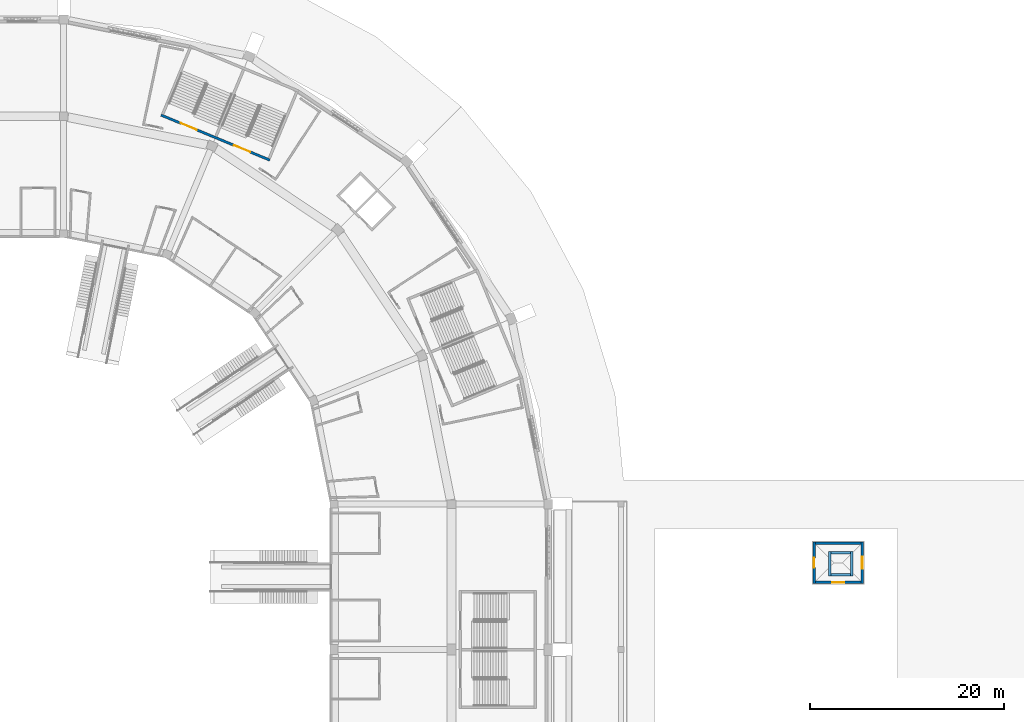
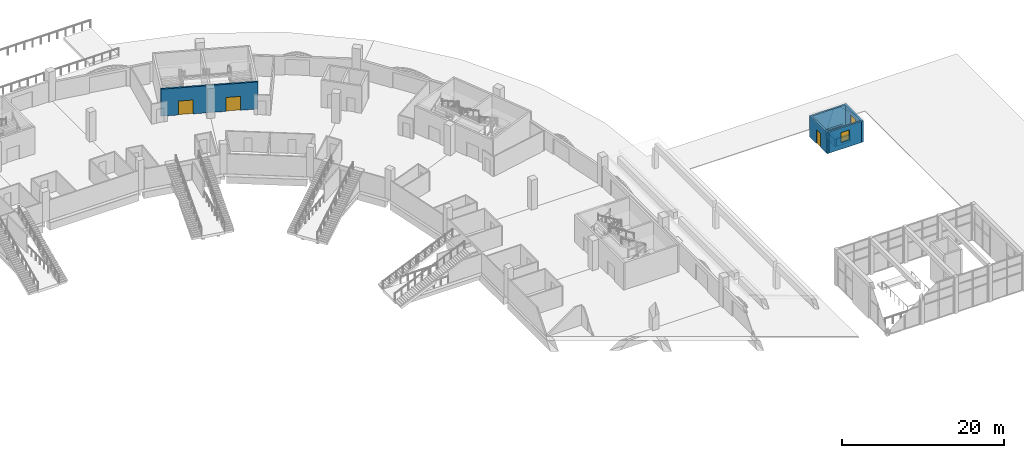
# One storey, part 43 of 175: 9 walls, 3 doors, 2 windows, 5 openings.
"""IFC4 building model written with IfcOpenShell, lengths in metres."""

from ifc_helpers import new_model, si_unit, direction, frame, frame_2d, origin, place, context, subcontext, project, spatial, rectangle, extrude, material, layer, layer_set, type_object, element, fill, save


model = new_model("IFC4")

# Units and contexts
model_context = context("Model", 3, precision=1e-05, world=origin(), true_north=direction((0.0, 1.0)))
body_context = subcontext(model_context, "Body", "Model", "MODEL_VIEW")
ifc_project = project(units=[si_unit("LENGTHUNIT", "METRE"), si_unit("AREAUNIT", "SQUARE_METRE"), si_unit("VOLUMEUNIT", "CUBIC_METRE"), si_unit("PLANEANGLEUNIT", "RADIAN"), si_unit("MASSUNIT", "GRAM", prefix="KILO")], contexts=[model_context])

# Site, building, storey
site_placement = place(None, origin())
site = spatial("IfcSite", under=ifc_project, at=site_placement, CompositionType="ELEMENT")
building_placement = place(site_placement, origin())
building = spatial("IfcBuilding", under=site, at=building_placement, Name="Ogive Plaza Stadium", CompositionType="ELEMENT")
storey_placement = place(building_placement, origin())
storey = spatial("IfcBuildingStorey", under=building, at=storey_placement, Name="L00", CompositionType="ELEMENT", Elevation=0.0)

# Wall, openings, doors
ifc_material_1 = material(Name="Concrete C40/50", Category="concrete")
ifc_layer_1 = layer(ifc_material_1, 0.25)
ifc_layer_set_1 = layer_set([ifc_layer_1], Name="Concrete C40/50")
wall_type_1 = type_object("IfcWallType", Name="Core wall 250", PredefinedType="SHEAR", material=ifc_layer_set_1)
wall_1_placement = place(storey_placement, frame((55.27392578125, 87.98486328125, 0.0), z_axis=(0.0, 0.0, 1.0), x_axis=(-0.923877480578, 0.382688386133, 0.0)))
wall_1 = element("IfcWall", 1, at=wall_1_placement, inside=storey, type_object=wall_type_1, Name="Stair core R38 inner wall", PredefinedType="SHEAR", context=body_context, shape_type="SweptSolid", body=[
    extrude(rectangle(XDim=12.14990234375, YDim=0.25, at=frame_2d((6.074951171875, 0.0))), origin(), (0.0, 0.0, 1.0), 4.090087890625),
])
opening_1_placement = place(wall_1_placement, frame((2.199951171875, 0.0, 0.0)))
opening_1 = element("IfcOpeningElement", 2, at=opening_1_placement, cuts=wall_1, Name="Opening D0273", PredefinedType="OPENING", context=body_context, shape_type="SweptSolid", body=[
    extrude(rectangle(XDim=1.800048828125, YDim=2.10009765625, at=frame_2d((0.89990234375, 1.050048828125))), frame((0.0, 0.125, 0.0), z_axis=(0.0, -1.0, 0.0), x_axis=(1.0, 0.0, 0.0)), (0.0, 0.0, 1.0), 0.25),
])
opening_2_placement = place(wall_1_placement, frame((8.14990234375, 0.0, 0.0)))
opening_2 = element("IfcOpeningElement", 3, at=opening_2_placement, cuts=wall_1, Name="Opening D0274", PredefinedType="OPENING", context=body_context, shape_type="SweptSolid", body=[
    extrude(rectangle(XDim=1.800048828125, YDim=2.10009765625, at=frame_2d((0.89990234375, 1.050048828125))), frame((0.0, 0.125, 0.0), z_axis=(0.0, -1.0, 0.0), x_axis=(1.0, 0.0, 0.0)), (0.0, 0.0, 1.0), 0.25),
])
ifc_material_2 = material(Name="Steel ASTM A572 Grade 50", Category="steel")
door_type_1 = type_object("IfcDoorType", Name="Fire door FD90 pair 1800 x 2100", OperationType="DOUBLE_DOOR_SINGLE_SWING", PredefinedType="DOOR", material=ifc_material_2)
door_1_placement = place(opening_1_placement, origin())
door_1 = element("IfcDoor", 4, at=door_1_placement, inside=storey, type_object=door_type_1, Name="Exit stair R38A door L00", OperationType="DOUBLE_DOOR_SINGLE_SWING", OverallHeight=2.10009765625, OverallWidth=1.800048828125, PredefinedType="DOOR", context=body_context, shape_type="SweptSolid", body=[
    extrude(rectangle(XDim=1.800048828125, YDim=2.10009765625, at=frame_2d((0.89990234375, 1.050048828125))), frame((0.0, 0.02490234375, 0.0), z_axis=(0.0, -1.0, 0.0), x_axis=(1.0, 0.0, 0.0)), (0.0, 0.0, 1.0), 0.050048828125),
])
fill(opening_1, door_1)
door_2_placement = place(opening_2_placement, origin())
door_2 = element("IfcDoor", 5, at=door_2_placement, inside=storey, type_object=door_type_1, Name="Exit stair R38B door L00", OperationType="DOUBLE_DOOR_SINGLE_SWING", OverallHeight=2.10009765625, OverallWidth=1.800048828125, PredefinedType="DOOR", context=body_context, shape_type="SweptSolid", body=[
    extrude(rectangle(XDim=1.800048828125, YDim=2.10009765625, at=frame_2d((0.89990234375, 1.050048828125))), frame((0.0, 0.02490234375, 0.0), z_axis=(0.0, -1.0, 0.0), x_axis=(1.0, 0.0, 0.0)), (0.0, 0.0, 1.0), 0.050048828125),
])
fill(opening_2, door_2)

# Wall, opening, door
ifc_material_3 = material(Name="Concrete C45/55 precast", Category="concrete")
ifc_layer_2 = layer(ifc_material_3, 0.199951171875)
ifc_material_4 = material(Name="Cast stone (reconstituted limestone)", Category="masonry")
ifc_layer_3 = layer(ifc_material_4, 0.050048828125)
ifc_layer_set_2 = layer_set([ifc_layer_2, ifc_layer_3], Name="Concrete C45/55 precast, cast stone facing")
wall_type_2 = type_object("IfcWallType", Name="Kiosk wall 250", PredefinedType="SOLIDWALL", material=ifc_layer_set_2)
wall_2_placement = place(storey_placement, frame((111.425048828125, 44.300048828125, 0.0), z_axis=(0.0, 0.0, 1.0), x_axis=(0.0, 1.0, 0.0)))
wall_2 = element("IfcWall", 6, at=wall_2_placement, inside=storey, type_object=wall_type_2, Name="Kiosk wall 250 L00 west", PredefinedType="SOLIDWALL", context=body_context, shape_type="SweptSolid", body=[
    extrude(rectangle(XDim=4.300048828125, YDim=0.25, at=frame_2d((2.14990234375, 0.0))), origin(), (0.0, 0.0, 1.0), 3.199951171875),
])
opening_3_placement = place(wall_2_placement, frame((1.64990234375, 0.0, 0.0)))
opening_3 = element("IfcOpeningElement", 7, at=opening_3_placement, cuts=wall_2, Name="Opening SD036", PredefinedType="OPENING", context=body_context, shape_type="SweptSolid", body=[
    extrude(rectangle(XDim=1.0, YDim=2.10009765625, at=frame_2d((0.5, 1.050048828125))), frame((0.0, 0.125, 0.0), z_axis=(0.0, -1.0, 0.0), x_axis=(1.0, 0.0, 0.0)), (0.0, 0.0, 1.0), 0.25),
])
ifc_material_5 = material(Name="Steel door set", Category="steel")
door_type_2 = type_object("IfcDoorType", Name="Service door 1000 x 2100", OperationType="SINGLE_SWING_LEFT", PredefinedType="DOOR", material=ifc_material_5)
door_3_placement = place(opening_3_placement, origin())
door_3 = element("IfcDoor", 8, at=door_3_placement, inside=storey, type_object=door_type_2, Name="Door SD036", OperationType="SINGLE_SWING_RIGHT", OverallHeight=2.10009765625, OverallWidth=1.0, PredefinedType="DOOR", context=body_context, shape_type="SweptSolid", body=[
    extrude(rectangle(XDim=1.0, YDim=2.10009765625, at=frame_2d((0.5, 1.050048828125))), frame((0.0, 0.02490234375, 0.0), z_axis=(0.0, -1.0, 0.0), x_axis=(1.0, 0.0, 0.0)), (0.0, 0.0, 1.0), 0.050048828125),
])
fill(opening_3, door_3)

# Wall, opening, window
wall_3_placement = place(storey_placement, frame((116.375, 44.300048828125, 0.0), z_axis=(0.0, 0.0, 1.0), x_axis=(0.0, 1.0, 0.0)))
wall_3 = element("IfcWall", 9, at=wall_3_placement, inside=storey, type_object=wall_type_2, Name="Kiosk wall 250 L00 east", PredefinedType="SOLIDWALL", context=body_context, shape_type="SweptSolid", body=[
    extrude(rectangle(XDim=4.300048828125, YDim=0.25, at=frame_2d((2.14990234375, 0.0))), origin(), (0.0, 0.0, 1.0), 3.199951171875),
])
opening_4_placement = place(wall_3_placement, frame((1.550048828125, 0.0, 1.0)))
opening_4 = element("IfcOpeningElement", 10, at=opening_4_placement, cuts=wall_3, Name="Opening VL2b", PredefinedType="OPENING", context=body_context, shape_type="SweptSolid", body=[
    extrude(rectangle(XDim=1.199951171875, YDim=1.5, at=frame_2d((0.60009765625, 0.75))), frame((0.0, 0.125, 0.0), z_axis=(0.0, -1.0, 0.0), x_axis=(1.0, 0.0, 0.0)), (0.0, 0.0, 1.0), 0.25),
])
ifc_material_6 = material(Name="Aluminium louvre", Category="aluminium")
window_type = type_object("IfcWindowType", Name="Ventilation louvre 1200x1500", PartitioningType="SINGLE_PANEL", PredefinedType="WINDOW", material=ifc_material_6)
window_1_placement = place(opening_4_placement, origin())
window_1 = element("IfcWindow", 11, at=window_1_placement, inside=storey, type_object=window_type, Name="Ventilation louvre 2b", OverallHeight=1.5, OverallWidth=1.199951171875, PartitioningType="SINGLE_PANEL", PredefinedType="WINDOW", context=body_context, shape_type="SweptSolid", body=[
    extrude(rectangle(XDim=1.199951171875, YDim=1.5, at=frame_2d((0.60009765625, 0.75))), frame((0.0, 0.030029296875, 0.0), z_axis=(0.0, -1.0, 0.0), x_axis=(1.0, 0.0, 0.0)), (0.0, 0.0, 1.0), 0.06005859375),
])
fill(opening_4, window_1)

wall_4_placement = place(storey_placement, frame((111.550048828125, 44.425048828125, 0.0), z_axis=(0.0, 0.0, 1.0), x_axis=(1.0, 0.0, 0.0)))
wall_4 = element("IfcWall", 12, at=wall_4_placement, inside=storey, type_object=wall_type_2, Name="Kiosk wall 250 L00 south", PredefinedType="SOLIDWALL", context=body_context, shape_type="SweptSolid", body=[
    extrude(rectangle(XDim=4.699951171875, YDim=0.25, at=frame_2d((2.35009765625, 0.0))), origin(), (0.0, 0.0, 1.0), 3.199951171875),
])
opening_5_placement = place(wall_4_placement, frame((1.75, 0.0, 1.0)))
opening_5 = element("IfcOpeningElement", 13, at=opening_5_placement, cuts=wall_4, Name="Opening VL2a", PredefinedType="OPENING", context=body_context, shape_type="SweptSolid", body=[
    extrude(rectangle(XDim=1.199951171875, YDim=1.5, at=frame_2d((0.60009765625, 0.75))), frame((0.0, 0.125, 0.0), z_axis=(0.0, -1.0, 0.0), x_axis=(1.0, 0.0, 0.0)), (0.0, 0.0, 1.0), 0.25),
])
window_2_placement = place(opening_5_placement, origin())
window_2 = element("IfcWindow", 14, at=window_2_placement, inside=storey, type_object=window_type, Name="Ventilation louvre 2a", OverallHeight=1.5, OverallWidth=1.199951171875, PartitioningType="SINGLE_PANEL", PredefinedType="WINDOW", context=body_context, shape_type="SweptSolid", body=[
    extrude(rectangle(XDim=1.199951171875, YDim=1.5, at=frame_2d((0.60009765625, 0.75))), frame((0.0, 0.030029296875, 0.0), z_axis=(0.0, -1.0, 0.0), x_axis=(1.0, 0.0, 0.0)), (0.0, 0.0, 1.0), 0.06005859375),
])
fill(opening_5, window_2)

# Walls
wall_5_placement = place(storey_placement, frame((111.550048828125, 48.47509765625, 0.0), z_axis=(0.0, 0.0, 1.0), x_axis=(1.0, 0.0, 0.0)))
element("IfcWall", 15, at=wall_5_placement, inside=storey, type_object=wall_type_2, Name="Kiosk wall 250 L00 north", PredefinedType="SOLIDWALL", context=body_context, shape_type="SweptSolid", body=[
    extrude(rectangle(XDim=4.699951171875, YDim=0.25, at=frame_2d((2.35009765625, 0.0))), origin(), (0.0, 0.0, 1.0), 3.199951171875),
])
ifc_material_7 = material(Name="Concrete C40/50", Category="concrete")
ifc_layer_4 = layer(ifc_material_7, 0.25)
ifc_layer_set_3 = layer_set([ifc_layer_4], Name="Concrete C40/50")
wall_type_3 = type_object("IfcWallType", Name="Riser shaft wall 250", PredefinedType="SHEAR", material=ifc_layer_set_3)
for number, where, z_axis, x_axis, name in (
    (16, (113.02490234375, 45.10009765625, 0.0), (0.0, 0.0, 1.0), (0.0, 1.0, 0.0), "Riser shaft wall 250 L00 west"),
    (17, (115.27490234375, 45.10009765625, 0.0), (0.0, 0.0, 1.0), (0.0, 1.0, 0.0), "Riser shaft wall 250 L00 east"),
):
    element("IfcWall", number, at=place(storey_placement, frame(where, z_axis=z_axis, x_axis=x_axis)), inside=storey, type_object=wall_type_3, Name=name, PredefinedType="SHEAR", context=body_context, shape_type="SweptSolid", body=[
        extrude(rectangle(XDim=2.5, YDim=0.25, at=frame_2d((1.25, 0.0))), origin(), (0.0, 0.0, 1.0), 1.10009765625),
    ])
for number, where, z_axis, x_axis, name in (
    (18, (113.14990234375, 45.22509765625, 0.0), (0.0, 0.0, 1.0), (1.0, 0.0, 0.0), "Riser shaft wall 250 L00 south"),
    (19, (113.14990234375, 47.47509765625, 0.0), (0.0, 0.0, 1.0), (1.0, 0.0, 0.0), "Riser shaft wall 250 L00 north"),
):
    element("IfcWall", number, at=place(storey_placement, frame(where, z_axis=z_axis, x_axis=x_axis)), inside=storey, type_object=wall_type_3, Name=name, PredefinedType="SHEAR", context=body_context, shape_type="SweptSolid", body=[
        extrude(rectangle(XDim=2.0, YDim=0.25, at=frame_2d((1.0, 0.0))), origin(), (0.0, 0.0, 1.0), 1.10009765625),
    ])

save(model, "model.ifc")
